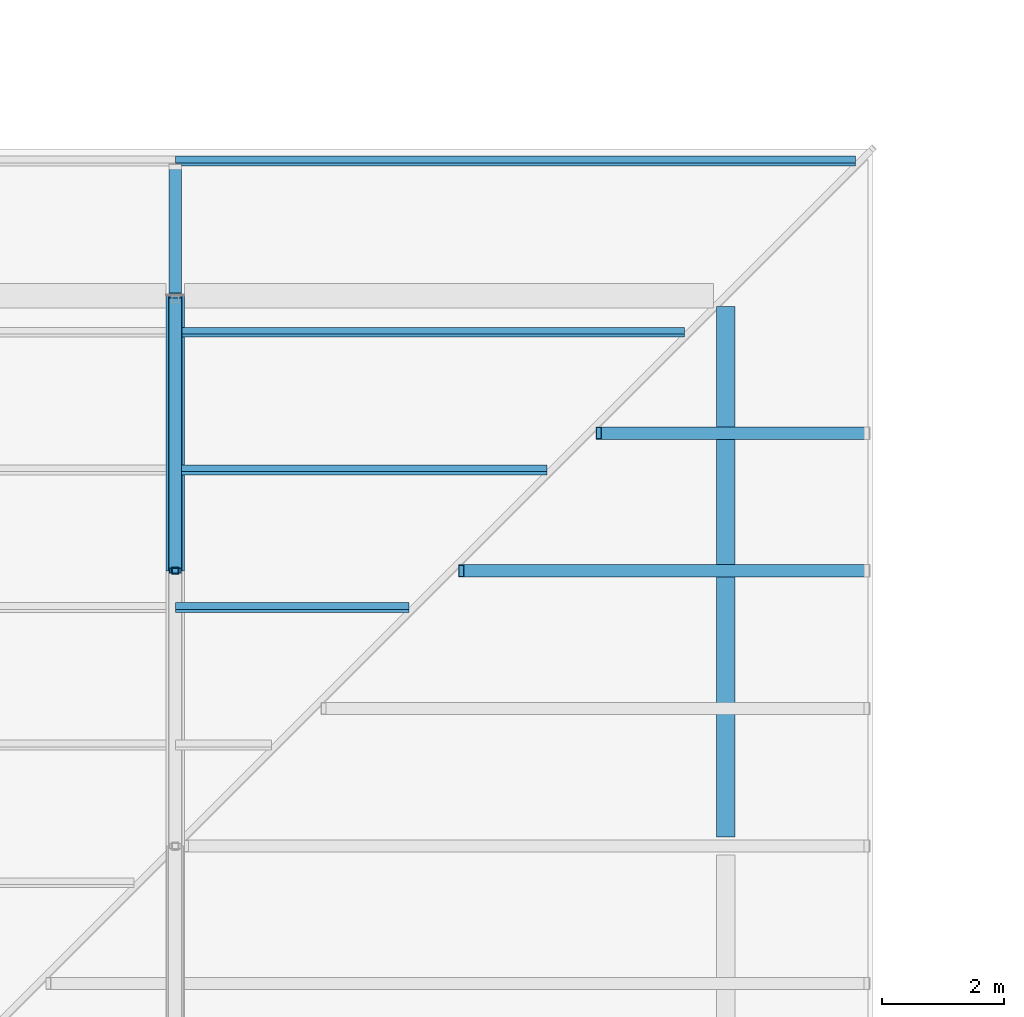
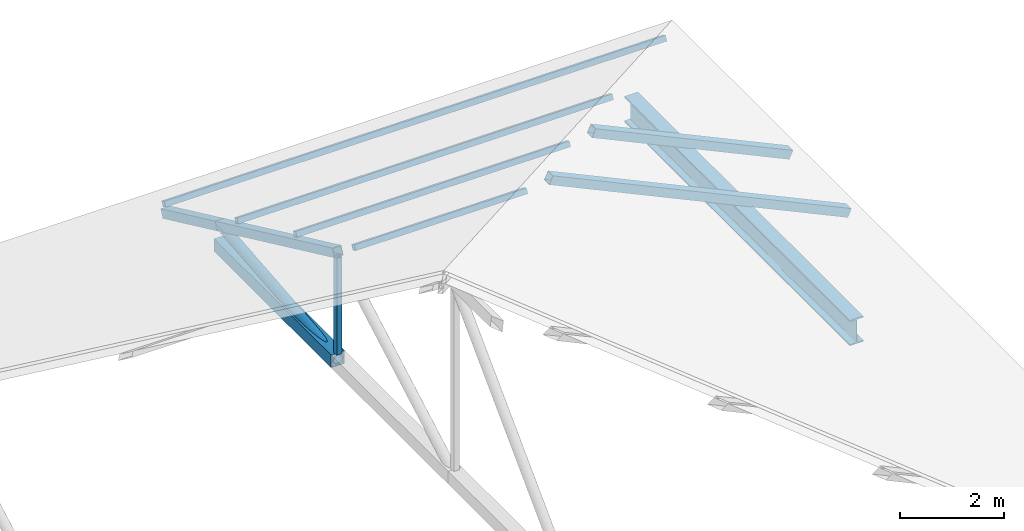
# One storey, part 76 of 154: 11 members, 1 beam.
"""IFC4 building model written with IfcOpenShell, lengths in metres."""

from ifc_helpers import new_model, si_unit, direction, frame, origin, origin_2d, place, context, subcontext, project, spatial, hollow_rectangle, hollow_circle, i_section, extrude, material, material_profile, profile_set, type_object, element, save


model = new_model("IFC4")

# Units and contexts
model_context = context("Model", 3, precision=1e-05, world=origin(), true_north=direction((0.0, 1.0)))
body_context = subcontext(model_context, "Body", "Model", "MODEL_VIEW")
ifc_project = project(units=[si_unit("LENGTHUNIT", "METRE"), si_unit("AREAUNIT", "SQUARE_METRE"), si_unit("VOLUMEUNIT", "CUBIC_METRE"), si_unit("PLANEANGLEUNIT", "RADIAN"), si_unit("MASSUNIT", "GRAM", prefix="KILO")], contexts=[model_context])

# Site, building, storey
site_placement = place(None, origin())
site = spatial("IfcSite", under=ifc_project, at=site_placement, CompositionType="ELEMENT")
building_placement = place(site_placement, origin())
building = spatial("IfcBuilding", under=site, at=building_placement, Name="Golden Quay Civic Hall", CompositionType="ELEMENT")
storey_placement = place(building_placement, frame((0.0, 0.0, 14.39990234375)))
storey = spatial("IfcBuildingStorey", under=building, at=storey_placement, Name="L03", CompositionType="ELEMENT", Elevation=14.39990234375)

# Beam
ifc_material_1 = material(Name="Steel S355", Category="steel")
ifc_material_profile_1 = material_profile(ifc_material_1, i_section(OverallWidth=0.300048828125, OverallDepth=0.60009765625, WebThickness=0.015380859375, FlangeThickness=0.030029296875, FilletRadius=0.027099609375, at=origin_2d()), Name="HEB 600")
ifc_profile_set_1 = profile_set([ifc_material_profile_1], Name="Steel S355")
beam_type = type_object("IfcBeamType", Name="Steel eaves girder HEB 600", PredefinedType="BEAM", material=ifc_profile_set_1)
beam_placement = place(storey_placement, frame((171.0, 90.14990234375, 0.050048828125), z_axis=(0.0, 1.0, 0.0), x_axis=(-1.0, 0.0, 0.0)))
element("IfcBeam", 1, at=beam_placement, inside=storey, type_object=beam_type, Name="Eaves girder 171-4 L03", PredefinedType="BEAM", context=body_context, shape_type="SweptSolid", body=[
    extrude(i_section(OverallWidth=0.300048828125, OverallDepth=0.60009765625, WebThickness=0.015380859375, FlangeThickness=0.030029296875, FilletRadius=0.027099609375, at=origin_2d()), origin(), (0.0, 0.0, 1.0), 8.670166015625),
])

# Members
ifc_material_2 = material(Name="Steel S355", Category="steel")
ifc_material_profile_2 = material_profile(ifc_material_2, hollow_rectangle(XDim=0.199951171875, YDim=0.199951171875, WallThickness=0.010009765625, at=origin_2d()), Name="SHS 200x200x10")
ifc_profile_set_2 = profile_set([ifc_material_profile_2], Name="Steel S355")
member_type_1 = type_object("IfcMemberType", Name="Steel jack rafter SHS 200x200x10", PredefinedType="RAFTER", material=ifc_profile_set_2)
member_1_placement = place(storey_placement, frame((173.300048828125, 94.5, -0.56787109375), z_axis=(-0.906304264127, 0.0, 0.422625816563), x_axis=(0.0, -1.0, 0.0)))
element("IfcMember", 2, at=member_1_placement, inside=storey, type_object=member_type_1, Name="Jack rafter east 14 L03", PredefinedType="RAFTER", context=body_context, shape_type="SweptSolid", body=[
    extrude(hollow_rectangle(XDim=0.199951171875, YDim=0.199951171875, WallThickness=0.010009765625, at=origin_2d()), origin(), (0.0, 0.0, 1.0), 7.309814453125),
])
member_2_placement = place(storey_placement, frame((173.300048828125, 96.75, -0.56787109375), z_axis=(-0.906312305086, 0.0, 0.422608572617), x_axis=(0.0, -1.0, 0.0)))
element("IfcMember", 3, at=member_2_placement, inside=storey, type_object=member_type_1, Name="Jack rafter east 15 L03", PredefinedType="RAFTER", context=body_context, shape_type="SweptSolid", body=[
    extrude(hollow_rectangle(XDim=0.199951171875, YDim=0.199951171875, WallThickness=0.010009765625, at=origin_2d()), origin(), (0.0, 0.0, 1.0), 4.8271484375),
])
ifc_material_3 = material(Name="Steel S355", Category="steel")
ifc_material_profile_3 = material_profile(ifc_material_3, hollow_rectangle(XDim=0.1201171875, YDim=0.1201171875, WallThickness=0.008056640625, at=origin_2d()), Name="SHS 120x120x8")
ifc_profile_set_3 = profile_set([ifc_material_profile_3], Name="Steel S355")
member_type_2 = type_object("IfcMemberType", Name="Steel roof purlin SHS 120x120x8", PredefinedType="PURLIN", material=ifc_profile_set_3)
member_3_placement = place(storey_placement, frame((162.0, 101.199951171875, -0.521240234375), z_axis=(1.0, 0.0, 0.0), x_axis=(0.0, 0.906307787037, -0.422618261741)))
element("IfcMember", 4, at=member_3_placement, inside=storey, type_object=member_type_2, Name="Purlin north 1-6 L03", PredefinedType="PURLIN", context=body_context, shape_type="SweptSolid", body=[
    extrude(hollow_rectangle(XDim=0.1201171875, YDim=0.1201171875, WallThickness=0.008056640625, at=origin_2d()), origin(), (0.0, 0.0, 1.0), 11.125),
])
member_4_placement = place(storey_placement, frame((162.0, 98.39990234375, 0.784423828125), z_axis=(1.0, 0.0, 0.0), x_axis=(0.0, 0.906307787037, -0.422618261741)))
element("IfcMember", 5, at=member_4_placement, inside=storey, type_object=member_type_2, Name="Purlin north 2-6 L03", PredefinedType="PURLIN", context=body_context, shape_type="SweptSolid", body=[
    extrude(hollow_rectangle(XDim=0.1201171875, YDim=0.1201171875, WallThickness=0.008056640625, at=origin_2d()), origin(), (0.0, 0.0, 1.0), 8.324951171875),
])
member_5_placement = place(storey_placement, frame((162.0, 96.14990234375, 1.83349609375), z_axis=(1.0, 0.0, 0.0), x_axis=(0.0, 0.906307787037, -0.422618261741)))
element("IfcMember", 6, at=member_5_placement, inside=storey, type_object=member_type_2, Name="Purlin north 3-6 L03", PredefinedType="PURLIN", context=body_context, shape_type="SweptSolid", body=[
    extrude(hollow_rectangle(XDim=0.1201171875, YDim=0.1201171875, WallThickness=0.008056640625, at=origin_2d()), origin(), (0.0, 0.0, 1.0), 6.074951171875),
])
member_6_placement = place(storey_placement, frame((162.0, 93.89990234375, 2.8828125), z_axis=(1.0, 0.0, 0.0), x_axis=(0.0, 0.906307787037, -0.422618261741)))
element("IfcMember", 7, at=member_6_placement, inside=storey, type_object=member_type_2, Name="Purlin north 4-6 L03", PredefinedType="PURLIN", context=body_context, shape_type="SweptSolid", body=[
    extrude(hollow_rectangle(XDim=0.1201171875, YDim=0.1201171875, WallThickness=0.008056640625, at=origin_2d()), origin(), (0.0, 0.0, 1.0), 3.824951171875),
])
ifc_material_4 = material(Name="Steel S355", Category="steel")
ifc_material_profile_4 = material_profile(ifc_material_4, hollow_rectangle(XDim=0.300048828125, YDim=0.300048828125, WallThickness=0.01611328125, at=origin_2d()), Name="SHS 300x300x16")
ifc_profile_set_4 = profile_set([ifc_material_profile_4], Name="Steel S355")
member_type_3 = type_object("IfcMemberType", Name="Steel truss bottom chord SHS 300x300x16", PredefinedType="USERDEFINED", material=ifc_profile_set_4)
member_7_placement = place(storey_placement, frame((162.0, 94.5, -0.099853515625), z_axis=(0.0, 1.0, 0.0), x_axis=(-1.0, 0.0, 0.0)))
element("IfcMember", 8, at=member_7_placement, inside=storey, type_object=member_type_3, Name="Truss 162 bottom chord 8 L03", ObjectType="TRUSS BOTTOM CHORD", PredefinedType="USERDEFINED", context=body_context, shape_type="SweptSolid", body=[
    extrude(hollow_rectangle(XDim=0.300048828125, YDim=0.300048828125, WallThickness=0.01611328125, at=origin_2d()), origin(), (0.0, 0.0, 1.0), 4.5),
])
ifc_material_5 = material(Name="Steel S355", Category="steel")
ifc_material_profile_5 = material_profile(ifc_material_5, hollow_circle(Radius=0.109619140625, WallThickness=0.010009765625, at=origin_2d()), Name="CHS 219.1x10")
ifc_profile_set_5 = profile_set([ifc_material_profile_5], Name="Steel S355")
member_type_4 = type_object("IfcMemberType", Name="Steel truss diagonal CHS 219.1x10", PredefinedType="BRACE", material=ifc_profile_set_5)
member_8_placement = place(storey_placement, frame((162.0, 94.5, -0.099853515625), z_axis=(0.0, 0.995512933083, 0.094625578275), x_axis=(-1.0, 0.0, 0.0)))
element("IfcMember", 9, at=member_8_placement, inside=storey, type_object=member_type_4, Name="Truss 162 diagonal 8 L03", PredefinedType="BRACE", context=body_context, shape_type="SweptSolid", body=[
    extrude(hollow_circle(Radius=0.109619140625, WallThickness=0.010009765625, at=origin_2d()), origin(), (0.0, 0.0, 1.0), 4.520263671875),
])
ifc_material_6 = material(Name="Steel S355", Category="steel")
ifc_material_profile_6 = material_profile(ifc_material_6, hollow_rectangle(XDim=0.1201171875, YDim=0.1201171875, WallThickness=0.008056640625, at=origin_2d()), Name="SHS 120x120x8")
ifc_profile_set_6 = profile_set([ifc_material_profile_6], Name="Steel S355")
member_type_5 = type_object("IfcMemberType", Name="Steel truss post SHS 120x120x8", PredefinedType="USERDEFINED", material=ifc_profile_set_6)
member_9_placement = place(storey_placement, frame((162.0, 94.5, 0.050048828125), z_axis=(0.0, 0.0, 1.0), x_axis=(1.0, 0.0, 0.0)))
element("IfcMember", 10, at=member_9_placement, inside=storey, type_object=member_type_5, Name="Truss 162 post 8 L03", ObjectType="TRUSS POST", PredefinedType="USERDEFINED", context=body_context, shape_type="SweptSolid", body=[
    extrude(hollow_rectangle(XDim=0.1201171875, YDim=0.1201171875, WallThickness=0.008056640625, at=origin_2d()), origin(), (0.0, 0.0, 1.0), 2.26611328125),
])
ifc_material_7 = material(Name="Steel S355", Category="steel")
ifc_material_profile_7 = material_profile(ifc_material_7, hollow_rectangle(XDim=0.199951171875, YDim=0.199951171875, WallThickness=0.010009765625, at=origin_2d()), Name="SHS 200x200x10")
ifc_profile_set_7 = profile_set([ifc_material_profile_7], Name="Steel S355")
member_type_6 = type_object("IfcMemberType", Name="Steel truss top chord SHS 200x200x10", PredefinedType="USERDEFINED", material=ifc_profile_set_7)
member_10_placement = place(storey_placement, frame((162.0, 94.5, 2.426513671875), z_axis=(0.0, 0.906288628397, -0.422659345144), x_axis=(-1.0, 0.0, 0.0)))
element("IfcMember", 11, at=member_10_placement, inside=storey, type_object=member_type_6, Name="Truss 162 top chord 9 L03", ObjectType="TRUSS TOP CHORD", PredefinedType="USERDEFINED", context=body_context, shape_type="SweptSolid", body=[
    extrude(hollow_rectangle(XDim=0.199951171875, YDim=0.199951171875, WallThickness=0.010009765625, at=origin_2d()), origin(), (0.0, 0.0, 1.0), 4.96533203125),
])
member_11_placement = place(storey_placement, frame((162.0, 99.0, 0.327880859375), z_axis=(0.0, 0.906355341487, -0.42251626591), x_axis=(-1.0, 0.0, 0.0)))
element("IfcMember", 12, at=member_11_placement, inside=storey, type_object=member_type_6, Name="Truss 162 top chord 10 L03", ObjectType="TRUSS TOP CHORD", PredefinedType="USERDEFINED", context=body_context, shape_type="SweptSolid", body=[
    extrude(hollow_rectangle(XDim=0.199951171875, YDim=0.199951171875, WallThickness=0.010009765625, at=origin_2d()), origin(), (0.0, 0.0, 1.0), 2.317138671875),
])

save(model, "model.ifc")
